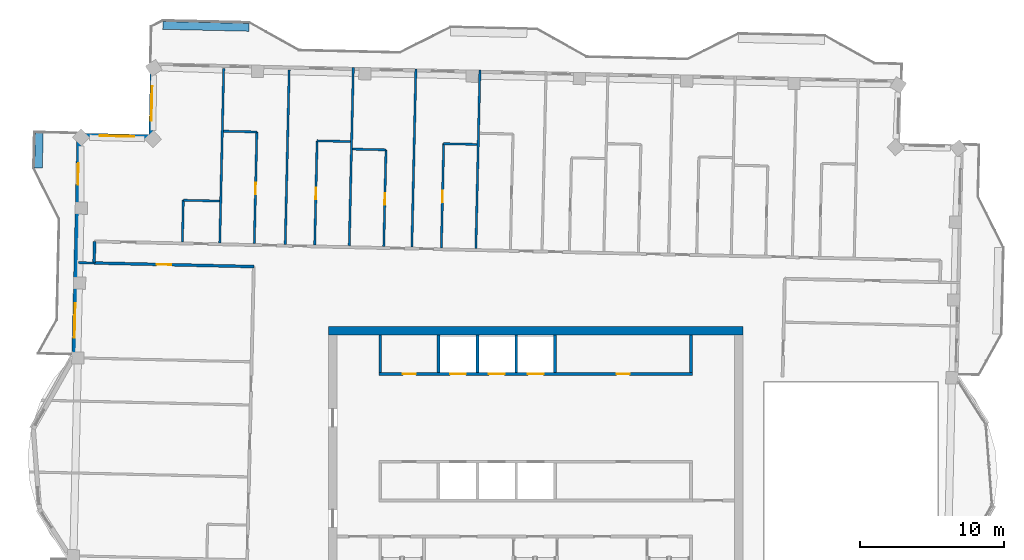
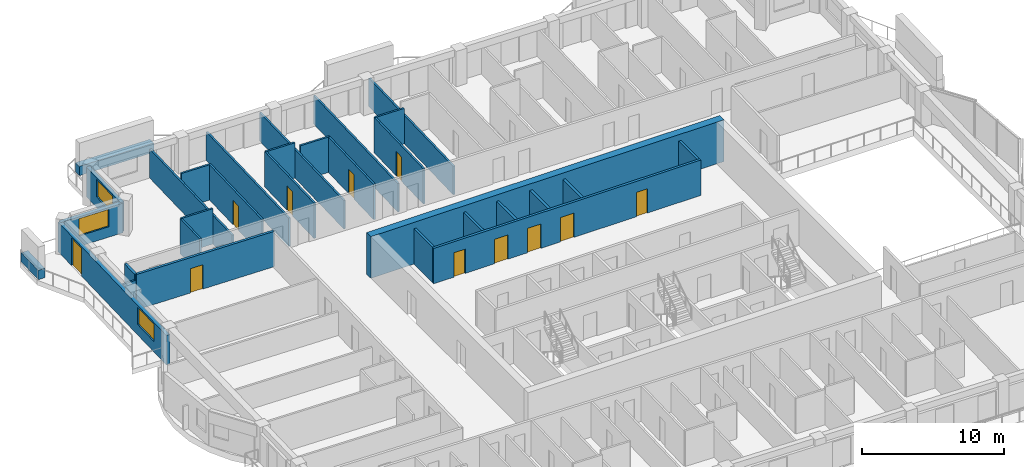
# One storey, part 8 of 15: 31 walls, 11 doors, 3 windows, 14 openings.
"""IFC4 building model written with IfcOpenShell, lengths in metres."""

from ifc_helpers import new_model, si_unit, direction, frame, frame_2d, origin, place, context, subcontext, project, spatial, rectangle, extrude, material, layer, layer_set, type_object, element, fill, save


model = new_model("IFC4")

# Units and contexts
model_context = context("Model", 3, precision=1e-05, world=origin(), true_north=direction((0.0, 1.0)))
body_context = subcontext(model_context, "Body", "Model", "MODEL_VIEW")
ifc_project = project(units=[si_unit("LENGTHUNIT", "METRE"), si_unit("AREAUNIT", "SQUARE_METRE"), si_unit("VOLUMEUNIT", "CUBIC_METRE"), si_unit("PLANEANGLEUNIT", "RADIAN"), si_unit("MASSUNIT", "GRAM", prefix="KILO")], contexts=[model_context])

# Site, building, storey
site_placement = place(None, origin())
site = spatial("IfcSite", under=ifc_project, at=site_placement, CompositionType="ELEMENT")
building_placement = place(site_placement, origin())
building = spatial("IfcBuilding", under=site, at=building_placement, Name="Mangrove Gate Tower", CompositionType="ELEMENT")
storey_placement = place(building_placement, frame((0.0, 0.0, 320.5)))
storey = spatial("IfcBuildingStorey", under=building, at=storey_placement, Name="L82", CompositionType="ELEMENT", Elevation=320.5)

# Walls
ifc_material_1 = material(Name="Concrete C32/40", Category="concrete")
ifc_layer_1 = layer(ifc_material_1, 0.199951171875)
ifc_layer_set_1 = layer_set([ifc_layer_1], Name="Core room wall 200 C32/40")
wall_type_1 = type_object("IfcWallType", Name="Core room wall 200 C32/40", PredefinedType="STANDARD", material=ifc_layer_set_1)
for number, where, z_axis, x_axis, name in (
    (1, (-10.800048828125, 8.199951171875, 0.0), (0.0, 0.0, 1.0), (0.0, 1.0, 0.0), "WALL-L82-CORE-25"),
    (2, (10.800048828125, 8.199951171875, 0.0), (0.0, 0.0, 1.0), (0.0, 1.0, 0.0), "WALL-L82-CORE-30"),
):
    element("IfcWall", number, at=place(storey_placement, frame(where, z_axis=z_axis, x_axis=x_axis)), inside=storey, type_object=wall_type_1, Name=name, PredefinedType="STANDARD", context=body_context, shape_type="SweptSolid", body=[
        extrude(rectangle(XDim=2.60009765625, YDim=0.199951171875, at=frame_2d((1.300048828125, 0.0))), origin(), (0.0, 0.0, 1.0), 3.050048828125),
    ])

# Wall, openings, doors
ifc_material_2 = material(Name="Concrete C50/60", Category="concrete")
ifc_layer_2 = layer(ifc_material_2, 0.199951171875)
ifc_layer_set_2 = layer_set([ifc_layer_2], Name="Core shaft wall 200 C50/60")
wall_type_2 = type_object("IfcWallType", Name="Core shaft wall 200 C50/60", PredefinedType="SHEAR", material=ifc_layer_set_2)
wall_1_placement = place(storey_placement, frame((-10.89990234375, 8.10009765625, 0.0), z_axis=(0.0, 0.0, 1.0), x_axis=(1.0, 0.0, 0.0)))
wall_1 = element("IfcWall", 3, at=wall_1_placement, inside=storey, type_object=wall_type_2, Name="WALL-L82-CORE-8", PredefinedType="SHEAR", context=body_context, shape_type="SweptSolid", body=[
    extrude(rectangle(XDim=21.7998046875, YDim=0.199951171875, at=frame_2d((10.89990234375, 0.0))), origin(), (0.0, 0.0, 1.0), 3.050048828125),
])
opening_1_placement = place(wall_1_placement, frame((4.949951171875, 0.0, 0.0)))
opening_1 = element("IfcOpeningElement", 4, at=opening_1_placement, cuts=wall_1, Name="Opening LD", PredefinedType="OPENING", context=body_context, shape_type="SweptSolid", body=[
    extrude(rectangle(XDim=1.10009765625, YDim=2.10009765625, at=frame_2d((0.550048828125, 1.050048828125))), frame((0.0, 0.10986328125, 0.0), z_axis=(0.0, -1.0, 0.0), x_axis=(1.0, 0.0, 0.0)), (0.0, 0.0, 1.0), 0.219970703125),
])
opening_2_placement = place(wall_1_placement, frame((7.64990234375, 0.0, 0.0)))
opening_2 = element("IfcOpeningElement", 5, at=opening_2_placement, cuts=wall_1, Name="Opening LD", PredefinedType="OPENING", context=body_context, shape_type="SweptSolid", body=[
    extrude(rectangle(XDim=1.10009765625, YDim=2.10009765625, at=frame_2d((0.550048828125, 1.050048828125))), frame((0.0, 0.10986328125, 0.0), z_axis=(0.0, -1.0, 0.0), x_axis=(1.0, 0.0, 0.0)), (0.0, 0.0, 1.0), 0.219970703125),
])
opening_3_placement = place(wall_1_placement, frame((10.35009765625, 0.0, 0.0)))
opening_3 = element("IfcOpeningElement", 6, at=opening_3_placement, cuts=wall_1, Name="Opening LD", PredefinedType="OPENING", context=body_context, shape_type="SweptSolid", body=[
    extrude(rectangle(XDim=1.10009765625, YDim=2.10009765625, at=frame_2d((0.550048828125, 1.050048828125))), frame((0.0, 0.10986328125, 0.0), z_axis=(0.0, -1.0, 0.0), x_axis=(1.0, 0.0, 0.0)), (0.0, 0.0, 1.0), 0.219970703125),
])
opening_4_placement = place(wall_1_placement, frame((1.675048828125, 0.0, 0.0)))
opening_4 = element("IfcOpeningElement", 7, at=opening_4_placement, cuts=wall_1, Name="Opening RD", PredefinedType="OPENING", context=body_context, shape_type="SweptSolid", body=[
    extrude(rectangle(XDim=0.89990234375, YDim=2.10009765625, at=frame_2d((0.449951171875, 1.050048828125))), frame((0.0, 0.10986328125, 0.0), z_axis=(0.0, -1.0, 0.0), x_axis=(1.0, 0.0, 0.0)), (0.0, 0.0, 1.0), 0.219970703125),
])
opening_5_placement = place(wall_1_placement, frame((16.52490234375, 0.0, 0.0)))
opening_5 = element("IfcOpeningElement", 8, at=opening_5_placement, cuts=wall_1, Name="Opening KD", PredefinedType="OPENING", context=body_context, shape_type="SweptSolid", body=[
    extrude(rectangle(XDim=0.89990234375, YDim=2.10009765625, at=frame_2d((0.449951171875, 1.050048828125))), frame((0.0, 0.10986328125, 0.0), z_axis=(0.0, -1.0, 0.0), x_axis=(1.0, 0.0, 0.0)), (0.0, 0.0, 1.0), 0.219970703125),
])
ifc_material_3 = material(Name="Fire-rated steel door set", Category="steel")
door_type_1 = type_object("IfcDoorType", Name="Core room door FD30S 900x2100", OperationType="SINGLE_SWING_RIGHT", PredefinedType="DOOR", material=ifc_material_3)
door_1_placement = place(opening_5_placement, origin())
door_1 = element("IfcDoor", 9, at=door_1_placement, inside=storey, type_object=door_type_1, Name="Core room door Core WC", OperationType="SINGLE_SWING_RIGHT", OverallHeight=2.10009765625, OverallWidth=0.89990234375, PredefinedType="DOOR", context=body_context, shape_type="SweptSolid", body=[
    extrude(rectangle(XDim=0.89990234375, YDim=2.10009765625, at=frame_2d((0.449951171875, 1.050048828125))), frame((0.0, 0.02490234375, 0.0), z_axis=(0.0, -1.0, 0.0), x_axis=(1.0, 0.0, 0.0)), (0.0, 0.0, 1.0), 0.050048828125),
])
fill(opening_5, door_1)
ifc_material_4 = material(Name="Stainless steel 316", Category="steel")
door_type_2 = type_object("IfcDoorType", Name="Lift landing door 1100x2100", OperationType="SLIDING_TO_LEFT", PredefinedType="DOOR", material=ifc_material_4)
door_2_placement = place(opening_1_placement, origin())
door_2 = element("IfcDoor", 10, at=door_2_placement, inside=storey, type_object=door_type_2, Name="Landing door LD H04", OperationType="SLIDING_TO_LEFT", OverallHeight=2.10009765625, OverallWidth=1.10009765625, PredefinedType="DOOR", context=body_context, shape_type="SweptSolid", body=[
    extrude(rectangle(XDim=1.10009765625, YDim=2.10009765625, at=frame_2d((0.550048828125, 1.050048828125))), frame((0.0, 0.02490234375, 0.0), z_axis=(0.0, -1.0, 0.0), x_axis=(1.0, 0.0, 0.0)), (0.0, 0.0, 1.0), 0.050048828125),
])
fill(opening_1, door_2)
door_3_placement = place(opening_2_placement, origin())
door_3 = element("IfcDoor", 11, at=door_3_placement, inside=storey, type_object=door_type_2, Name="Landing door LD H05", OperationType="SLIDING_TO_LEFT", OverallHeight=2.10009765625, OverallWidth=1.10009765625, PredefinedType="DOOR", context=body_context, shape_type="SweptSolid", body=[
    extrude(rectangle(XDim=1.10009765625, YDim=2.10009765625, at=frame_2d((0.550048828125, 1.050048828125))), frame((0.0, 0.02490234375, 0.0), z_axis=(0.0, -1.0, 0.0), x_axis=(1.0, 0.0, 0.0)), (0.0, 0.0, 1.0), 0.050048828125),
])
fill(opening_2, door_3)
door_4_placement = place(opening_3_placement, origin())
door_4 = element("IfcDoor", 12, at=door_4_placement, inside=storey, type_object=door_type_2, Name="Landing door LD H06", OperationType="SLIDING_TO_LEFT", OverallHeight=2.10009765625, OverallWidth=1.10009765625, PredefinedType="DOOR", context=body_context, shape_type="SweptSolid", body=[
    extrude(rectangle(XDim=1.10009765625, YDim=2.10009765625, at=frame_2d((0.550048828125, 1.050048828125))), frame((0.0, 0.02490234375, 0.0), z_axis=(0.0, -1.0, 0.0), x_axis=(1.0, 0.0, 0.0)), (0.0, 0.0, 1.0), 0.050048828125),
])
fill(opening_3, door_4)
ifc_material_5 = material(Name="Fire-rated steel door set", Category="steel")
door_type_3 = type_object("IfcDoorType", Name="Riser door FD30S 900x2100", OperationType="SINGLE_SWING_LEFT", PredefinedType="DOOR", material=ifc_material_5)
door_5_placement = place(opening_4_placement, origin())
door_5 = element("IfcDoor", 13, at=door_5_placement, inside=storey, type_object=door_type_3, Name="Riser door Comms room", OperationType="SINGLE_SWING_LEFT", OverallHeight=2.10009765625, OverallWidth=0.89990234375, PredefinedType="DOOR", context=body_context, shape_type="SweptSolid", body=[
    extrude(rectangle(XDim=0.89990234375, YDim=2.10009765625, at=frame_2d((0.449951171875, 1.050048828125))), frame((0.0, 0.02490234375, 0.0), z_axis=(0.0, -1.0, 0.0), x_axis=(1.0, 0.0, 0.0)), (0.0, 0.0, 1.0), 0.050048828125),
])
fill(opening_4, door_5)

# Walls
for number, where, z_axis, x_axis, name in (
    (14, (-6.75, 8.199951171875, 0.0), (0.0, 0.0, 1.0), (0.0, 1.0, 0.0), "WALL-L82-CORE-26"),
    (15, (-4.050048828125, 8.199951171875, 0.0), (0.0, 0.0, 1.0), (0.0, 1.0, 0.0), "WALL-L82-CORE-27"),
    (16, (-1.35009765625, 8.199951171875, 0.0), (0.0, 0.0, 1.0), (0.0, 1.0, 0.0), "WALL-L82-CORE-28"),
    (17, (1.35009765625, 8.199951171875, 0.0), (0.0, 0.0, 1.0), (0.0, 1.0, 0.0), "WALL-L82-CORE-29"),
):
    element("IfcWall", number, at=place(storey_placement, frame(where, z_axis=z_axis, x_axis=x_axis)), inside=storey, type_object=wall_type_2, Name=name, PredefinedType="SHEAR", context=body_context, shape_type="SweptSolid", body=[
        extrude(rectangle(XDim=2.60009765625, YDim=0.199951171875, at=frame_2d((1.300048828125, 0.0))), origin(), (0.0, 0.0, 1.0), 3.050048828125),
    ])
ifc_material_6 = material(Name="Concrete C50/60", Category="concrete")
ifc_layer_3 = layer(ifc_material_6, 0.60009765625)
ifc_layer_set_3 = layer_set([ifc_layer_3], Name="Core wall 600 C50/60")
wall_type_3 = type_object("IfcWallType", Name="Core wall 600 C50/60", PredefinedType="SHEAR", material=ifc_layer_set_3)
wall_2_placement = place(storey_placement, frame((-14.39990234375, 11.10009765625, 0.0), z_axis=(0.0, 0.0, 1.0), x_axis=(1.0, 0.0, 0.0)))
element("IfcWall", 18, at=wall_2_placement, inside=storey, type_object=wall_type_3, Name="WALL-L82-CORE-2", PredefinedType="SHEAR", context=body_context, shape_type="SweptSolid", body=[
    extrude(rectangle(XDim=28.7998046875, YDim=0.60009765625, at=frame_2d((14.39990234375, 0.0))), origin(), (0.0, 0.0, 1.0), 3.60009765625),
])

# Wall, opening, door
ifc_material_7 = material(Name="Gypsum board on steel stud, EI 60", Category="steel")
ifc_layer_4 = layer(ifc_material_7, 0.199951171875)
ifc_layer_set_4 = layer_set([ifc_layer_4], Name="Corridor wall EI 60")
wall_type_4 = type_object("IfcWallType", Name="Corridor wall EI 60", PredefinedType="PARTITIONING", material=ifc_layer_set_4)
wall_3_placement = place(storey_placement, frame((-30.68603515625, 15.81396484375, 0.0), z_axis=(0.0, 0.0, 1.0), x_axis=(0.999742346277, -0.022698921993, 0.0)))
wall_3 = element("IfcWall", 19, at=wall_3_placement, inside=storey, type_object=wall_type_4, Name="WALL-L82-054", PredefinedType="PARTITIONING", context=body_context, shape_type="SweptSolid", body=[
    extrude(rectangle(XDim=11.099853515625, YDim=0.199951171875, at=frame_2d((5.5498046875, 0.0))), origin(), (0.0, 0.0, 1.0), 3.050048828125),
])
opening_6_placement = place(wall_3_placement, frame((4.35009765625, 0.0, 0.0)))
opening_6 = element("IfcOpeningElement", 20, at=opening_6_placement, cuts=wall_3, Name="Opening AD", PredefinedType="OPENING", context=body_context, shape_type="SweptSolid", body=[
    extrude(rectangle(XDim=1.0, YDim=2.10009765625, at=frame_2d((0.5, 1.050048828125))), frame((0.0, 0.10986328125, 0.0), z_axis=(0.0, -1.0, 0.0), x_axis=(1.0, 0.0, 0.0)), (0.0, 0.0, 1.0), 0.219970703125),
])
ifc_material_8 = material(Name="Timber door leaf", Category="wood")
door_type_4 = type_object("IfcDoorType", Name="Amenity door 1000", OperationType="SINGLE_SWING_LEFT", PredefinedType="DOOR", material=ifc_material_8)
door_6_placement = place(opening_6_placement, origin())
door_6 = element("IfcDoor", 21, at=door_6_placement, inside=storey, type_object=door_type_4, Name="DOOR-L82-LNG-c5b", OperationType="SINGLE_SWING_LEFT", OverallHeight=2.10009765625, OverallWidth=1.0, PredefinedType="DOOR", context=body_context, shape_type="SweptSolid", body=[
    extrude(rectangle(XDim=1.0, YDim=2.10009765625, at=frame_2d((0.5, 1.050048828125))), frame((0.0, 0.02490234375, 0.0), z_axis=(0.0, -1.0, 0.0), x_axis=(1.0, 0.0, 0.0)), (0.0, 0.0, 1.0), 0.050048828125),
])
fill(opening_6, door_6)

# Wall
wall_4_placement = place(storey_placement, frame((-30.68603515625, 15.81396484375, 0.0), z_axis=(0.0, 0.0, 1.0), x_axis=(0.022632637625, 0.99974384905, 0.0)))
element("IfcWall", 22, at=wall_4_placement, inside=storey, type_object=wall_type_4, Name="WALL-L82-055", PredefinedType="PARTITIONING", context=body_context, shape_type="SweptSolid", body=[
    extrude(rectangle(XDim=1.49951171875, YDim=0.199951171875, at=frame_2d((0.749755859375, 0.0))), origin(), (0.0, 0.0, 1.0), 3.050048828125),
])

# Wall, opening, window
ifc_material_9 = material(Name="Limestone", Category="masonry")
ifc_layer_5 = layer(ifc_material_9, 0.0400390625, Name="Limestone cladding")
ifc_material_10 = material(Name="Ventilated air gap")
ifc_layer_6 = layer(ifc_material_10, 0.0400390625, Name="Ventilated cavity")
ifc_material_11 = material(Name="Mineral wool insulation")
ifc_layer_7 = layer(ifc_material_11, 0.06005859375, Name="Insulation")
ifc_material_12 = material(Name="Breather membrane")
ifc_layer_8 = layer(ifc_material_12, 0.001953125, Name="Breather membrane")
ifc_material_13 = material(Name="Concrete C20/25 blockwork", Category="masonry")
ifc_layer_9 = layer(ifc_material_13, 0.14990234375, Name="Blockwork backing wall")
ifc_material_14 = material(Name="Gypsum plaster")
ifc_layer_10 = layer(ifc_material_14, 0.008056640625, Name="Internal plaster")
ifc_layer_set_5 = layer_set([ifc_layer_5, ifc_layer_6, ifc_layer_7, ifc_layer_8, ifc_layer_9, ifc_layer_10], Name="External wall 300 limestone cladding")
wall_type_5 = type_object("IfcWallType", Name="External wall 300 limestone cladding", PredefinedType="SOLIDWALL", material=ifc_layer_set_5)
wall_5_placement = place(storey_placement, frame((-26.623046875, 29.574951171875, 0.0), z_axis=(0.0, 0.0, 1.0), x_axis=(-0.022606059803, -0.999744450377, 0.0)))
wall_5 = element("IfcWall", 23, at=wall_5_placement, inside=storey, type_object=wall_type_5, Name="WALL-L82-W6", PredefinedType="SOLIDWALL", context=body_context, shape_type="SweptSolid", body=[
    extrude(rectangle(XDim=5.000244140625, YDim=0.300048828125, at=frame_2d((2.5, 0.0))), origin(), (0.0, 0.0, 1.0), 2.550048828125),
])
opening_7_placement = place(wall_5_placement, frame((1.470947265625, 0.0, 0.89990234375)))
opening_7 = element("IfcOpeningElement", 24, at=opening_7_placement, cuts=wall_5, Name="Opening W2", PredefinedType="OPENING", context=body_context, shape_type="SweptSolid", body=[
    extrude(rectangle(XDim=2.39990234375, YDim=1.5, at=frame_2d((1.199951171875, 0.75))), frame((0.0, 0.159912109375, 0.0), z_axis=(0.0, -1.0, 0.0), x_axis=(1.0, 0.0, 0.0)), (0.0, 0.0, 1.0), 0.320068359375),
])
ifc_material_15 = material(Name="Aluminium frame with double-glazed low-e glass", Category="aluminium")
window_type = type_object("IfcWindowType", Name="Corner room window 2400x1500", PartitioningType="DOUBLE_PANEL_VERTICAL", PredefinedType="WINDOW", material=ifc_material_15)
window_1_placement = place(opening_7_placement, origin())
window_1 = element("IfcWindow", 25, at=window_1_placement, inside=storey, type_object=window_type, Name="WIN-L82-W6-1", OverallHeight=1.5, OverallWidth=2.39990234375, PartitioningType="DOUBLE_PANEL_VERTICAL", PredefinedType="WINDOW", context=body_context, shape_type="SweptSolid", body=[
    extrude(rectangle(XDim=2.39990234375, YDim=1.5, at=frame_2d((1.199951171875, 0.75))), frame((0.0, 0.030029296875, 0.0), z_axis=(0.0, -1.0, 0.0), x_axis=(1.0, 0.0, 0.0)), (0.0, 0.0, 1.0), 0.06005859375),
])
fill(opening_7, window_1)

wall_6_placement = place(storey_placement, frame((-26.736083984375, 24.575927734375, 0.0), z_axis=(0.0, 0.0, 1.0), x_axis=(-0.999740017489, 0.022801259434, 0.0)))
wall_6 = element("IfcWall", 26, at=wall_6_placement, inside=storey, type_object=wall_type_5, Name="WALL-L82-N7", PredefinedType="SOLIDWALL", context=body_context, shape_type="SweptSolid", body=[
    extrude(rectangle(XDim=5.000244140625, YDim=0.300048828125, at=frame_2d((2.5, 0.0))), origin(), (0.0, 0.0, 1.0), 2.550048828125),
])
opening_8_placement = place(wall_6_placement, frame((1.14697265625, 0.0, 0.89990234375)))
opening_8 = element("IfcOpeningElement", 27, at=opening_8_placement, cuts=wall_6, Name="Opening W2", PredefinedType="OPENING", context=body_context, shape_type="SweptSolid", body=[
    extrude(rectangle(XDim=2.39990234375, YDim=1.5, at=frame_2d((1.199951171875, 0.75))), frame((0.0, 0.159912109375, 0.0), z_axis=(0.0, -1.0, 0.0), x_axis=(1.0, 0.0, 0.0)), (0.0, 0.0, 1.0), 0.320068359375),
])
window_2_placement = place(opening_8_placement, origin())
window_2 = element("IfcWindow", 28, at=window_2_placement, inside=storey, type_object=window_type, Name="WIN-L82-N7-1", OverallHeight=1.5, OverallWidth=2.39990234375, PartitioningType="DOUBLE_PANEL_VERTICAL", PredefinedType="WINDOW", context=body_context, shape_type="SweptSolid", body=[
    extrude(rectangle(XDim=2.39990234375, YDim=1.5, at=frame_2d((1.199951171875, 0.75))), frame((0.0, 0.030029296875, 0.0), z_axis=(0.0, -1.0, 0.0), x_axis=(1.0, 0.0, 0.0)), (0.0, 0.0, 1.0), 0.06005859375),
])
fill(opening_8, window_2)

# Wall, openings, door, window
wall_7_placement = place(storey_placement, frame((-31.735107421875, 24.68994140625, 0.0), z_axis=(0.0, 0.0, 1.0), x_axis=(-0.022694199758, -0.999742453484, 0.0)))
wall_7 = element("IfcWall", 29, at=wall_7_placement, inside=storey, type_object=wall_type_5, Name="WALL-L82-W8s1", PredefinedType="SOLIDWALL", context=body_context, shape_type="SweptSolid", body=[
    extrude(rectangle(XDim=15.900146484375, YDim=0.300048828125, at=frame_2d((7.9501953125, 0.0))), origin(), (0.0, 0.0, 1.0), 2.550048828125),
])
opening_9_placement = place(wall_7_placement, frame((1.93896484375, 0.0, 0.0)))
opening_9 = element("IfcOpeningElement", 30, at=opening_9_placement, cuts=wall_7, Name="Opening BD1", PredefinedType="OPENING", context=body_context, shape_type="SweptSolid", body=[
    extrude(rectangle(XDim=1.5, YDim=2.39990234375, at=frame_2d((0.75, 1.199951171875))), frame((0.0, 0.159912109375, 0.0), z_axis=(0.0, -1.0, 0.0), x_axis=(1.0, 0.0, 0.0)), (0.0, 0.0, 1.0), 0.320068359375),
])
opening_10_placement = place(wall_7_placement, frame((11.6708984375, 0.0, 0.89990234375)))
opening_10 = element("IfcOpeningElement", 31, at=opening_10_placement, cuts=wall_7, Name="Opening W2", PredefinedType="OPENING", context=body_context, shape_type="SweptSolid", body=[
    extrude(rectangle(XDim=2.39990234375, YDim=1.5, at=frame_2d((1.199951171875, 0.75))), frame((0.0, 0.159912109375, 0.0), z_axis=(0.0, -1.0, 0.0), x_axis=(1.0, 0.0, 0.0)), (0.0, 0.0, 1.0), 0.320068359375),
])
ifc_material_16 = material(Name="Aluminium frame with laminated clear glass", Category="aluminium")
door_type_5 = type_object("IfcDoorType", Name="Balcony sliding door 1500x2400", OperationType="SLIDING_TO_LEFT", PredefinedType="DOOR", material=ifc_material_16)
door_7_placement = place(opening_9_placement, origin())
door_7 = element("IfcDoor", 32, at=door_7_placement, inside=storey, type_object=door_type_5, Name="DOOR-L82-W8-1", OperationType="SLIDING_TO_LEFT", OverallHeight=2.39990234375, OverallWidth=1.5, PredefinedType="DOOR", context=body_context, shape_type="SweptSolid", body=[
    extrude(rectangle(XDim=1.5, YDim=2.39990234375, at=frame_2d((0.75, 1.199951171875))), frame((0.0, 0.02490234375, 0.0), z_axis=(0.0, -1.0, 0.0), x_axis=(1.0, 0.0, 0.0)), (0.0, 0.0, 1.0), 0.050048828125),
])
fill(opening_9, door_7)
window_3_placement = place(opening_10_placement, origin())
window_3 = element("IfcWindow", 33, at=window_3_placement, inside=storey, type_object=window_type, Name="WIN-L82-W8-2", OverallHeight=1.5, OverallWidth=2.39990234375, PartitioningType="DOUBLE_PANEL_VERTICAL", PredefinedType="WINDOW", context=body_context, shape_type="SweptSolid", body=[
    extrude(rectangle(XDim=2.39990234375, YDim=1.5, at=frame_2d((1.199951171875, 0.75))), frame((0.0, 0.030029296875, 0.0), z_axis=(0.0, -1.0, 0.0), x_axis=(1.0, 0.0, 0.0)), (0.0, 0.0, 1.0), 0.06005859375),
])
fill(opening_10, window_3)

# Walls
ifc_material_17 = material(Name="Gypsum board on steel stud, EI 60", Category="steel")
ifc_layer_11 = layer(ifc_material_17, 0.14990234375)
ifc_layer_set_6 = layer_set([ifc_layer_11], Name="Party wall 150 EI 60")
wall_type_6 = type_object("IfcWallType", Name="Party wall 150 EI 60", PredefinedType="PARTITIONING", material=ifc_layer_set_6)
wall_8_placement = place(storey_placement, frame((-31.785888671875, 15.837890625, 0.0), z_axis=(0.0, 0.0, 1.0), x_axis=(0.999745701647, -0.022550654924, 0.0)))
element("IfcWall", 34, at=wall_8_placement, inside=storey, type_object=wall_type_6, Name="WALL-L82-053", PredefinedType="PARTITIONING", context=body_context, shape_type="SweptSolid", body=[
    extrude(rectangle(XDim=1.104248046875, YDim=0.14990234375, at=frame_2d((0.55224609375, 0.0))), origin(), (0.0, 0.0, 1.0), 2.550048828125),
])
wall_9_placement = place(storey_placement, frame((-24.551025390625, 17.27490234375, 0.0), z_axis=(0.0, 0.0, 1.0), x_axis=(0.022394382402, 0.999749214372, 0.0)))
element("IfcWall", 35, at=wall_9_placement, inside=storey, type_object=wall_type_6, Name="WALL-L82-060", PredefinedType="PARTITIONING", context=body_context, shape_type="SweptSolid", body=[
    extrude(rectangle(XDim=2.89990234375, YDim=0.14990234375, at=frame_2d((1.449951171875, 0.0))), origin(), (0.0, 0.0, 1.0), 3.050048828125),
])
wall_10_placement = place(storey_placement, frame((-21.951904296875, 17.216064453125, 0.0), z_axis=(0.0, 0.0, 1.0), x_axis=(0.02263844782, 0.9997437175, 0.0)))
element("IfcWall", 36, at=wall_10_placement, inside=storey, type_object=wall_type_6, Name="WALL-L82-061", PredefinedType="PARTITIONING", context=body_context, shape_type="SweptSolid", body=[
    extrude(rectangle(XDim=12.10009765625, YDim=0.14990234375, at=frame_2d((6.050048828125, 0.0))), origin(), (0.0, 0.0, 1.0), 2.5),
])

# Wall, opening, door
wall_11_placement = place(storey_placement, frame((-19.552978515625, 17.160888671875, 0.0), z_axis=(0.0, 0.0, 1.0), x_axis=(0.022683528451, 0.999742695666, 0.0)))
wall_11 = element("IfcWall", 37, at=wall_11_placement, inside=storey, type_object=wall_type_6, Name="WALL-L82-062", PredefinedType="PARTITIONING", context=body_context, shape_type="SweptSolid", body=[
    extrude(rectangle(XDim=7.760009765625, YDim=0.14990234375, at=frame_2d((3.8798828125, 0.0))), origin(), (0.0, 0.0, 1.0), 3.050048828125),
])
opening_11_placement = place(wall_11_placement, frame((3.429931640625, 0.0, 0.0)))
opening_11 = element("IfcOpeningElement", 38, at=opening_11_placement, cuts=wall_11, Name="Opening ED", PredefinedType="OPENING", context=body_context, shape_type="SweptSolid", body=[
    extrude(rectangle(XDim=0.800048828125, YDim=2.10009765625, at=frame_2d((0.39990234375, 1.050048828125))), frame((0.0, 0.0849609375, 0.0), z_axis=(0.0, -1.0, 0.0), x_axis=(1.0, 0.0, 0.0)), (0.0, 0.0, 1.0), 0.169921875),
])
ifc_material_18 = material(Name="Timber door leaf", Category="wood")
door_type_6 = type_object("IfcDoorType", Name="En-suite door 800", OperationType="SINGLE_SWING_LEFT", PredefinedType="DOOR", material=ifc_material_18)
door_8_placement = place(opening_11_placement, origin())
door_8 = element("IfcDoor", 39, at=door_8_placement, inside=storey, type_object=door_type_6, Name="DOOR-L82-ENS-c520", OperationType="SINGLE_SWING_RIGHT", OverallHeight=2.10009765625, OverallWidth=0.800048828125, PredefinedType="DOOR", context=body_context, shape_type="SweptSolid", body=[
    extrude(rectangle(XDim=0.800048828125, YDim=2.10009765625, at=frame_2d((0.39990234375, 1.050048828125))), frame((0.0, 0.02490234375, 0.0), z_axis=(0.0, -1.0, 0.0), x_axis=(1.0, 0.0, 0.0)), (0.0, 0.0, 1.0), 0.050048828125),
])
fill(opening_11, door_8)

# Wall
wall_12_placement = place(storey_placement, frame((-17.403076171875, 17.113037109375, 0.0), z_axis=(0.0, 0.0, 1.0), x_axis=(0.022660442732, 0.999743219199, 0.0)))
element("IfcWall", 40, at=wall_12_placement, inside=storey, type_object=wall_type_6, Name="WALL-L82-063", PredefinedType="PARTITIONING", context=body_context, shape_type="SweptSolid", body=[
    extrude(rectangle(XDim=12.09912109375, YDim=0.14990234375, at=frame_2d((6.049560546875, 0.0))), origin(), (0.0, 0.0, 1.0), 2.449951171875),
])

# Wall, opening, door
wall_13_placement = place(storey_placement, frame((-15.35400390625, 17.06591796875, 0.0), z_axis=(0.0, 0.0, 1.0), x_axis=(0.022660891034, 0.999743209038, 0.0)))
wall_13 = element("IfcWall", 41, at=wall_13_placement, inside=storey, type_object=wall_type_6, Name="WALL-L82-064", PredefinedType="PARTITIONING", context=body_context, shape_type="SweptSolid", body=[
    extrude(rectangle(XDim=7.239990234375, YDim=0.14990234375, at=frame_2d((3.6201171875, 0.0))), origin(), (0.0, 0.0, 1.0), 3.050048828125),
])
opening_12_placement = place(wall_13_placement, frame((3.169921875, 0.0, 0.0)))
opening_12 = element("IfcOpeningElement", 42, at=opening_12_placement, cuts=wall_13, Name="Opening ED", PredefinedType="OPENING", context=body_context, shape_type="SweptSolid", body=[
    extrude(rectangle(XDim=0.800048828125, YDim=2.10009765625, at=frame_2d((0.39990234375, 1.050048828125))), frame((0.0, 0.0849609375, 0.0), z_axis=(0.0, -1.0, 0.0), x_axis=(1.0, 0.0, 0.0)), (0.0, 0.0, 1.0), 0.169921875),
])
door_9_placement = place(opening_12_placement, origin())
door_9 = element("IfcDoor", 43, at=door_9_placement, inside=storey, type_object=door_type_6, Name="DOOR-L82-ENS-c519", OperationType="SINGLE_SWING_LEFT", OverallHeight=2.10009765625, OverallWidth=0.800048828125, PredefinedType="DOOR", context=body_context, shape_type="SweptSolid", body=[
    extrude(rectangle(XDim=0.800048828125, YDim=2.10009765625, at=frame_2d((0.39990234375, 1.050048828125))), frame((0.0, 0.02490234375, 0.0), z_axis=(0.0, -1.0, 0.0), x_axis=(1.0, 0.0, 0.0)), (0.0, 0.0, 1.0), 0.050048828125),
])
fill(opening_12, door_9)

# Wall
wall_14_placement = place(storey_placement, frame((-12.9541015625, 17.011962890625, 0.0), z_axis=(0.0, 0.0, 1.0), x_axis=(0.022663260168, 0.999743155335, 0.0)))
element("IfcWall", 44, at=wall_14_placement, inside=storey, type_object=wall_type_6, Name="WALL-L82-065", PredefinedType="PARTITIONING", context=body_context, shape_type="SweptSolid", body=[
    extrude(rectangle(XDim=12.399169921875, YDim=0.14990234375, at=frame_2d((6.19970703125, 0.0))), origin(), (0.0, 0.0, 1.0), 2.449951171875),
])

# Wall, opening, door
wall_15_placement = place(storey_placement, frame((-10.554931640625, 16.95703125, 0.0), z_axis=(0.0, 0.0, 1.0), x_axis=(0.022598435707, 0.999744622743, 0.0)))
wall_15 = element("IfcWall", 45, at=wall_15_placement, inside=storey, type_object=wall_type_6, Name="WALL-L82-066", PredefinedType="PARTITIONING", context=body_context, shape_type="SweptSolid", body=[
    extrude(rectangle(XDim=6.7197265625, YDim=0.14990234375, at=frame_2d((3.35986328125, 0.0))), origin(), (0.0, 0.0, 1.0), 3.050048828125),
])
opening_13_placement = place(wall_15_placement, frame((2.909912109375, 0.0, 0.0)))
opening_13 = element("IfcOpeningElement", 46, at=opening_13_placement, cuts=wall_15, Name="Opening ED", PredefinedType="OPENING", context=body_context, shape_type="SweptSolid", body=[
    extrude(rectangle(XDim=0.800048828125, YDim=2.10009765625, at=frame_2d((0.39990234375, 1.050048828125))), frame((0.0, 0.0849609375, 0.0), z_axis=(0.0, -1.0, 0.0), x_axis=(1.0, 0.0, 0.0)), (0.0, 0.0, 1.0), 0.169921875),
])
door_10_placement = place(opening_13_placement, origin())
door_10 = element("IfcDoor", 47, at=door_10_placement, inside=storey, type_object=door_type_6, Name="DOOR-L82-ENS-c518", OperationType="SINGLE_SWING_RIGHT", OverallHeight=2.10009765625, OverallWidth=0.800048828125, PredefinedType="DOOR", context=body_context, shape_type="SweptSolid", body=[
    extrude(rectangle(XDim=0.800048828125, YDim=2.10009765625, at=frame_2d((0.39990234375, 1.050048828125))), frame((0.0, 0.02490234375, 0.0), z_axis=(0.0, -1.0, 0.0), x_axis=(1.0, 0.0, 0.0)), (0.0, 0.0, 1.0), 0.050048828125),
])
fill(opening_13, door_10)

# Wall
wall_16_placement = place(storey_placement, frame((-8.60595703125, 16.9130859375, 0.0), z_axis=(0.0, 0.0, 1.0), x_axis=(0.022740189192, 0.999741408463, 0.0)))
element("IfcWall", 48, at=wall_16_placement, inside=storey, type_object=wall_type_6, Name="WALL-L82-067", PredefinedType="PARTITIONING", context=body_context, shape_type="SweptSolid", body=[
    extrude(rectangle(XDim=12.400146484375, YDim=0.14990234375, at=frame_2d((6.2001953125, 0.0))), origin(), (0.0, 0.0, 1.0), 2.449951171875),
])

# Wall, opening, door
wall_17_placement = place(storey_placement, frame((-6.555908203125, 16.865966796875, 0.0), z_axis=(0.0, 0.0, 1.0), x_axis=(0.022627186748, 0.999743972435, 0.0)))
wall_17 = element("IfcWall", 49, at=wall_17_placement, inside=storey, type_object=wall_type_6, Name="WALL-L82-068", PredefinedType="PARTITIONING", context=body_context, shape_type="SweptSolid", body=[
    extrude(rectangle(XDim=7.239990234375, YDim=0.14990234375, at=frame_2d((3.6201171875, 0.0))), origin(), (0.0, 0.0, 1.0), 3.050048828125),
])
opening_14_placement = place(wall_17_placement, frame((3.169921875, 0.0, 0.0)))
opening_14 = element("IfcOpeningElement", 50, at=opening_14_placement, cuts=wall_17, Name="Opening ED", PredefinedType="OPENING", context=body_context, shape_type="SweptSolid", body=[
    extrude(rectangle(XDim=0.800048828125, YDim=2.10009765625, at=frame_2d((0.39990234375, 1.050048828125))), frame((0.0, 0.0849609375, 0.0), z_axis=(0.0, -1.0, 0.0), x_axis=(1.0, 0.0, 0.0)), (0.0, 0.0, 1.0), 0.169921875),
])
door_11_placement = place(opening_14_placement, origin())
door_11 = element("IfcDoor", 51, at=door_11_placement, inside=storey, type_object=door_type_6, Name="DOOR-L82-ENS-c517", OperationType="SINGLE_SWING_LEFT", OverallHeight=2.10009765625, OverallWidth=0.800048828125, PredefinedType="DOOR", context=body_context, shape_type="SweptSolid", body=[
    extrude(rectangle(XDim=0.800048828125, YDim=2.10009765625, at=frame_2d((0.39990234375, 1.050048828125))), frame((0.0, 0.02490234375, 0.0), z_axis=(0.0, -1.0, 0.0), x_axis=(1.0, 0.0, 0.0)), (0.0, 0.0, 1.0), 0.050048828125),
])
fill(opening_14, door_11)

# Walls
wall_18_placement = place(storey_placement, frame((-4.156982421875, 16.81201171875, 0.0), z_axis=(0.0, 0.0, 1.0), x_axis=(0.022740189192, 0.999741408463, 0.0)))
element("IfcWall", 52, at=wall_18_placement, inside=storey, type_object=wall_type_6, Name="WALL-L82-069", PredefinedType="PARTITIONING", context=body_context, shape_type="SweptSolid", body=[
    extrude(rectangle(XDim=12.400146484375, YDim=0.14990234375, at=frame_2d((6.2001953125, 0.0))), origin(), (0.0, 0.0, 1.0), 2.449951171875),
])
wall_19_placement = place(storey_placement, frame((-24.486083984375, 20.174072265625, 0.0), z_axis=(0.0, 0.0, 1.0), x_axis=(0.999744175585, -0.022618209135, 0.0)))
element("IfcWall", 53, at=wall_19_placement, inside=storey, type_object=wall_type_6, Name="WALL-L82-082", PredefinedType="PARTITIONING", context=body_context, shape_type="SweptSolid", body=[
    extrude(rectangle(XDim=2.52587890625, YDim=0.14990234375, at=frame_2d((1.262939453125, 0.0))), origin(), (0.0, 0.0, 1.0), 3.050048828125),
])
wall_20_placement = place(storey_placement, frame((-12.72705078125, 23.72802734375, 0.0), z_axis=(0.0, 0.0, 1.0), x_axis=(0.999740260747, -0.02279059109, 0.0)))
element("IfcWall", 54, at=wall_20_placement, inside=storey, type_object=wall_type_6, Name="WALL-L82-086", PredefinedType="PARTITIONING", context=body_context, shape_type="SweptSolid", body=[
    extrude(rectangle(XDim=2.324462890625, YDim=0.14990234375, at=frame_2d((1.162109375, 0.0))), origin(), (0.0, 0.0, 1.0), 3.050048828125),
])
wall_21_placement = place(storey_placement, frame((-15.18994140625, 24.303955078125, 0.0), z_axis=(0.0, 0.0, 1.0), x_axis=(0.999740478815, -0.022781023197, 0.0)))
element("IfcWall", 55, at=wall_21_placement, inside=storey, type_object=wall_type_6, Name="WALL-L82-088", PredefinedType="PARTITIONING", context=body_context, shape_type="SweptSolid", body=[
    extrude(rectangle(XDim=2.325439453125, YDim=0.14990234375, at=frame_2d((1.16259765625, 0.0))), origin(), (0.0, 0.0, 1.0), 3.050048828125),
])
wall_22_placement = place(storey_placement, frame((-6.39208984375, 24.10400390625, 0.0), z_axis=(0.0, 0.0, 1.0), x_axis=(0.999750007167, -0.022358961731, 0.0)))
element("IfcWall", 56, at=wall_22_placement, inside=storey, type_object=wall_type_6, Name="WALL-L82-089", PredefinedType="PARTITIONING", context=body_context, shape_type="SweptSolid", body=[
    extrude(rectangle(XDim=2.32568359375, YDim=0.14990234375, at=frame_2d((1.162841796875, 0.0))), origin(), (0.0, 0.0, 1.0), 3.050048828125),
])
wall_23_placement = place(storey_placement, frame((-21.700927734375, 24.971923828125, 0.0), z_axis=(0.0, 0.0, 1.0), x_axis=(0.999740260747, -0.02279059109, 0.0)))
element("IfcWall", 57, at=wall_23_placement, inside=storey, type_object=wall_type_6, Name="WALL-L82-091", PredefinedType="PARTITIONING", context=body_context, shape_type="SweptSolid", body=[
    extrude(rectangle(XDim=2.324462890625, YDim=0.14990234375, at=frame_2d((1.162109375, 0.0))), origin(), (0.0, 0.0, 1.0), 3.050048828125),
])
ifc_material_19 = material(Name="Concrete C32/40", Category="concrete")
ifc_layer_12 = layer(ifc_material_19, 0.199951171875, Name="Planter trough wall")
ifc_material_20 = material(Name="Bituminous waterproofing membrane")
ifc_layer_13 = layer(ifc_material_20, 0.0048828125, Name="Waterproofing")
ifc_material_21 = material(Name="Drainage board and gravel")
ifc_layer_14 = layer(ifc_material_21, 0.044921875, Name="Drainage layer")
ifc_material_22 = material(Name="Planting soil")
ifc_layer_15 = layer(ifc_material_22, 0.300048828125, Name="Growing medium")
ifc_layer_set_7 = layer_set([ifc_layer_12, ifc_layer_13, ifc_layer_14, ifc_layer_15], Name="Planter wall 550 C32/40")
wall_type_7 = type_object("IfcWallType", Name="Planter wall 550 C32/40", PredefinedType="USERDEFINED", material=ifc_layer_set_7)
wall_24_placement = place(storey_placement, frame((-25.909912109375, 32.323974609375, 0.0), z_axis=(0.0, 0.0, 1.0), x_axis=(0.999743073592, -0.022666865795, 0.0)))
element("IfcWall", 58, at=wall_24_placement, inside=storey, type_object=wall_type_7, Name="PLANTER L82 N1.1", ObjectType="PLANTER", PredefinedType="USERDEFINED", context=body_context, shape_type="SweptSolid", body=[
    extrude(rectangle(XDim=5.999267578125, YDim=0.550048828125, at=frame_2d((2.99951171875, 0.0))), origin(), (0.0, 0.0, 1.0), 0.800048828125),
])
wall_25_placement = place(storey_placement, frame((-34.552978515625, 22.403076171875, 0.0), z_axis=(0.0, 0.0, 1.0), x_axis=(0.02274801823, 0.999741230352, 0.0)))
element("IfcWall", 59, at=wall_25_placement, inside=storey, type_object=wall_type_7, Name="PLANTER L82 W0.1", ObjectType="PLANTER", PredefinedType="USERDEFINED", context=body_context, shape_type="SweptSolid", body=[
    extrude(rectangle(XDim=2.500732421875, YDim=0.550048828125, at=frame_2d((1.25048828125, 0.0))), origin(), (0.0, 0.0, 1.0), 0.800048828125),
])

save(model, "model.ifc")
